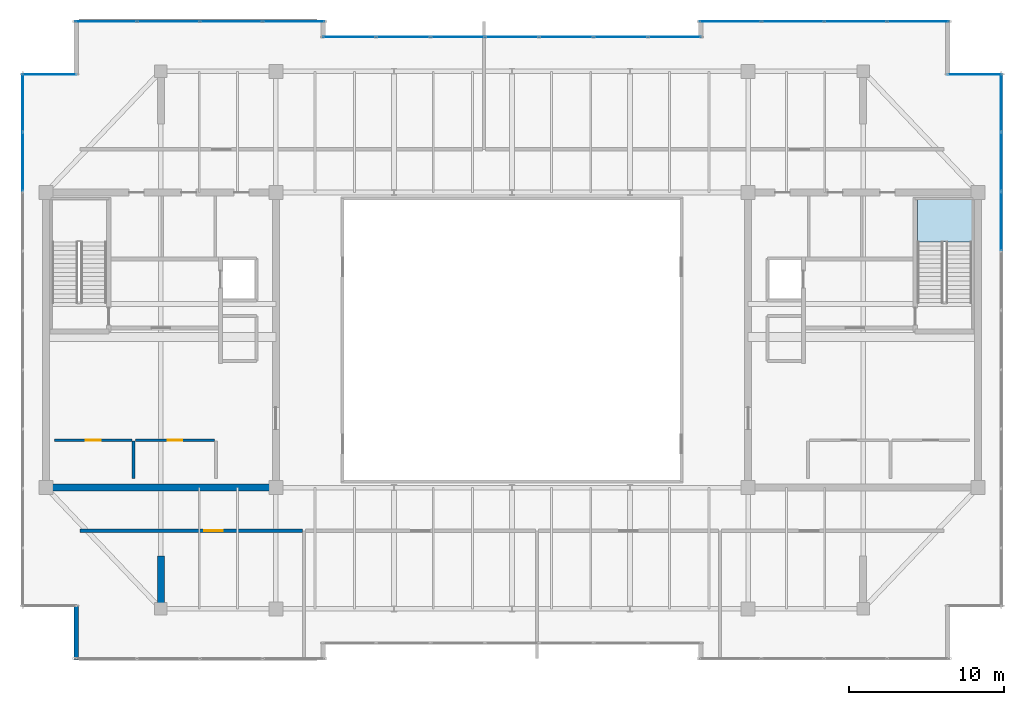
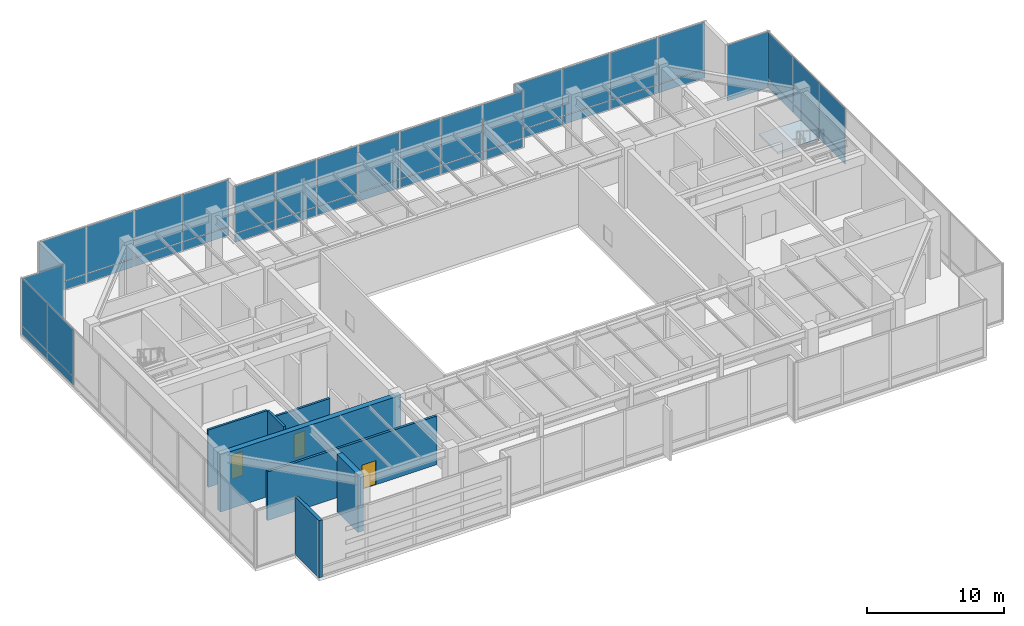
# One storey, part 24 of 30: 42 plates, 7 walls, 3 doors, 1 slab, 3 openings, 8 elements without a shape of their own.
"""IFC4 building model written with IfcOpenShell, lengths in metres."""

from ifc_helpers import new_model, si_unit, direction, frame, frame_2d, origin, origin_2d, place, context, subcontext, project, spatial, polyline, rectangle, outline, extrude, source, transform, mapped, material, layer, layer_set, type_object, type_shapes, element, fill, aggregate, save


model = new_model("IFC4")

# Units and contexts
model_context = context("Model", 3, precision=1e-05, world=origin(), true_north=direction((0.0, 1.0)))
body_context = subcontext(model_context, "Body", "Model", "MODEL_VIEW")
ifc_project = project(units=[si_unit("LENGTHUNIT", "METRE"), si_unit("AREAUNIT", "SQUARE_METRE"), si_unit("VOLUMEUNIT", "CUBIC_METRE"), si_unit("PLANEANGLEUNIT", "RADIAN"), si_unit("MASSUNIT", "GRAM", prefix="KILO")], contexts=[model_context])

# Site, building, storey
site_placement = place(None, origin())
site = spatial("IfcSite", under=ifc_project, at=site_placement, CompositionType="ELEMENT")
building_placement = place(site_placement, origin())
building = spatial("IfcBuilding", under=site, at=building_placement, Name="Haelvirn Gate Laboratories", CompositionType="ELEMENT")
storey_placement = place(building_placement, frame((0.0, 0.0, 332.39990234375)))
storey = spatial("IfcBuildingStorey", under=building, at=storey_placement, Name="L79", CompositionType="ELEMENT", Elevation=332.39990234375)

# Stair, slab
ifc_material_1 = material(Name="Concrete C40/50", Category="concrete")
stair_type = type_object("IfcStairType", Name="ST-DOG-1650-R30", PredefinedType="HALF_TURN_STAIR", material=ifc_material_1)
stair_placement = place(storey_placement, origin())
stair = element("IfcStair", 1, at=stair_placement, inside=storey, type_object=stair_type, Name="L79 Escape Stair ST2", PredefinedType="HALF_TURN_STAIR")
ifc_layer_1 = layer(ifc_material_1, 0.199951171875, Name="SL-STAIR-LND")
ifc_layer_set_1 = layer_set([ifc_layer_1], Name="Concrete C40/50")
slab_type = type_object("IfcSlabType", Name="SL-STAIR-LND", PredefinedType="LANDING", material=ifc_layer_set_1)
slab_placement = place(storey_placement, frame((0.0, 0.0, 2.5)))
slab = element("IfcSlab", 2, at=slab_placement, type_object=slab_type, Name="ST2 landing 1", PredefinedType="LANDING", context=body_context, shape_type="SweptSolid", body=[
    extrude(outline(polyline([(67.0, 30.6201171875), (67.0, 33.35009765625), (63.5, 33.35009765625), (63.5, 30.6201171875), (67.0, 30.6201171875)])), origin(), (0.0, 0.0, 1.0), 0.2001953125),
])
aggregate(stair, [slab])

# Curtain wall, plates
ifc_material_2 = material(Name="Anodised bronze unitised aluminium & triple low-E glass", Category="aluminium")
ifc_layer_2 = layer(ifc_material_2, 0.19189453125, Name="CW-SYS-6")
ifc_layer_set_2 = layer_set([ifc_layer_2], Name="Anodised bronze unitised aluminium & triple low-E glass")
curtain_wall_type_1 = type_object("IfcCurtainWallType", Name="CW-SYS-6", PredefinedType="NOTDEFINED", material=ifc_layer_set_2)
curtain_wall_1_placement = place(storey_placement, origin())
curtain_wall_1 = element("IfcCurtainWall", 3, at=curtain_wall_1_placement, inside=storey, type_object=curtain_wall_type_1, Name="L79 Unitised Curtain Wall CW-L79-P0-E10-1", PredefinedType="NOTDEFINED")
ifc_material_3 = material(Name="Ceramic-fritted bronze acoustic crown glazing 52 mm", Category="glass")
ifc_layer_3 = layer(ifc_material_3, 0.052001953125, Name="CWP-FRT-52")
ifc_layer_set_3 = layer_set([ifc_layer_3], Name="Ceramic-fritted bronze acoustic crown glazing 52 mm")
plate_type_1 = type_object("IfcPlateType", Name="CWP-FRT-52", PredefinedType="CURTAIN_PANEL", material=ifc_layer_set_3)
shared_shape_1 = source(origin(), body_context, "Body", "SweptSolid", [
    extrude(rectangle(XDim=3.929931640625, YDim=0.052001953125, at=origin_2d()), origin(), (0.0, 0.0, 1.0), 0.7451171875),
])
plate_1_placement = place(storey_placement, frame((51.445068359375, 44.800048828125, 0.070068359375), z_axis=(0.0, 0.0, 1.0), x_axis=(1.0, 0.0, 0.0)))
plate_1 = element("IfcPlate", 4, at=plate_1_placement, type_object=plate_type_1, Name="CW6 panel 1.1", PredefinedType="CURTAIN_PANEL", context=body_context, shape_type="MappedRepresentation", body=[
    mapped(shared_shape_1, transform((0.0, 0.0, 0.0), scale=1.0)),
])
plate_2_placement = place(storey_placement, frame((63.554931640625, 44.800048828125, 0.070068359375), z_axis=(0.0, 0.0, 1.0), x_axis=(1.0, 0.0, 0.0)))
plate_2 = element("IfcPlate", 5, at=plate_2_placement, type_object=plate_type_1, Name="CW6 panel 4.1", PredefinedType="CURTAIN_PANEL", context=body_context, shape_type="MappedRepresentation", body=[
    mapped(shared_shape_1, transform((0.0, 0.0, 0.0), scale=1.0)),
])

curtain_wall_2_placement = place(storey_placement, origin())
curtain_wall_2 = element("IfcCurtainWall", 6, at=curtain_wall_2_placement, inside=storey, type_object=curtain_wall_type_1, Name="L79 Unitised Curtain Wall CW-L79-P0-E14-1", PredefinedType="NOTDEFINED")
plate_3_placement = place(storey_placement, frame((11.2451171875, 44.800048828125, 0.070068359375), z_axis=(0.0, 0.0, 1.0), x_axis=(1.0, 0.0, 0.0)))
plate_3 = element("IfcPlate", 7, at=plate_3_placement, type_object=plate_type_1, Name="CW6 panel 1.1", PredefinedType="CURTAIN_PANEL", context=body_context, shape_type="MappedRepresentation", body=[
    mapped(shared_shape_1, transform((0.0, 0.0, 0.0), scale=1.0)),
])
plate_4_placement = place(storey_placement, frame((23.35498046875, 44.800048828125, 0.070068359375), z_axis=(0.0, 0.0, 1.0), x_axis=(1.0, 0.0, 0.0)))
plate_4 = element("IfcPlate", 8, at=plate_4_placement, type_object=plate_type_1, Name="CW6 panel 4.1", PredefinedType="CURTAIN_PANEL", context=body_context, shape_type="MappedRepresentation", body=[
    mapped(shared_shape_1, transform((0.0, 0.0, 0.0), scale=1.0)),
])

# Plate
shared_shape_2 = source(origin(), body_context, "Body", "SweptSolid", [
    extrude(rectangle(XDim=3.929931640625, YDim=0.052001953125, at=origin_2d()), origin(), (0.0, 0.0, 1.0), 4.1650390625),
])
plate_5_placement = place(storey_placement, frame((51.445068359375, 44.800048828125, 0.885009765625), z_axis=(0.0, 0.0, 1.0), x_axis=(1.0, 0.0, 0.0)))
plate_5 = element("IfcPlate", 9, at=plate_5_placement, type_object=plate_type_1, Name="CW6 panel 1.2", PredefinedType="CURTAIN_PANEL", context=body_context, shape_type="MappedRepresentation", body=[
    mapped(shared_shape_2, transform((0.0, 0.0, 0.0), scale=1.0)),
])

plate_6_placement = place(storey_placement, frame((63.554931640625, 44.800048828125, 0.885009765625), z_axis=(0.0, 0.0, 1.0), x_axis=(1.0, 0.0, 0.0)))
plate_6 = element("IfcPlate", 10, at=plate_6_placement, type_object=plate_type_1, Name="CW6 panel 4.2", PredefinedType="CURTAIN_PANEL", context=body_context, shape_type="MappedRepresentation", body=[
    mapped(shared_shape_2, transform((0.0, 0.0, 0.0), scale=1.0)),
])

plate_7_placement = place(storey_placement, frame((11.2451171875, 44.800048828125, 0.885009765625), z_axis=(0.0, 0.0, 1.0), x_axis=(1.0, 0.0, 0.0)))
plate_7 = element("IfcPlate", 11, at=plate_7_placement, type_object=plate_type_1, Name="CW6 panel 1.2", PredefinedType="CURTAIN_PANEL", context=body_context, shape_type="MappedRepresentation", body=[
    mapped(shared_shape_2, transform((0.0, 0.0, 0.0), scale=1.0)),
])

plate_8_placement = place(storey_placement, frame((23.35498046875, 44.800048828125, 0.885009765625), z_axis=(0.0, 0.0, 1.0), x_axis=(1.0, 0.0, 0.0)))
plate_8 = element("IfcPlate", 12, at=plate_8_placement, type_object=plate_type_1, Name="CW6 panel 4.2", PredefinedType="CURTAIN_PANEL", context=body_context, shape_type="MappedRepresentation", body=[
    mapped(shared_shape_2, transform((0.0, 0.0, 0.0), scale=1.0)),
])

shared_shape_3 = source(origin(), body_context, "Body", "SweptSolid", [
    extrude(rectangle(XDim=3.969970703125, YDim=0.052001953125, at=origin_2d()), origin(), (0.0, 0.0, 1.0), 0.7451171875),
])
plate_9_placement = place(storey_placement, frame((55.47509765625, 44.800048828125, 0.070068359375), z_axis=(0.0, 0.0, 1.0), x_axis=(1.0, 0.0, 0.0)))
plate_9 = element("IfcPlate", 13, at=plate_9_placement, type_object=plate_type_1, Name="CW6 panel 2.1", PredefinedType="CURTAIN_PANEL", context=body_context, shape_type="MappedRepresentation", body=[
    mapped(shared_shape_3, transform((0.0, 0.0, 0.0), scale=1.0)),
])

plate_10_placement = place(storey_placement, frame((59.52490234375, 44.800048828125, 0.070068359375), z_axis=(0.0, 0.0, 1.0), x_axis=(1.0, 0.0, 0.0)))
plate_10 = element("IfcPlate", 14, at=plate_10_placement, type_object=plate_type_1, Name="CW6 panel 3.1", PredefinedType="CURTAIN_PANEL", context=body_context, shape_type="MappedRepresentation", body=[
    mapped(shared_shape_3, transform((0.0, 0.0, 0.0), scale=1.0)),
])

plate_11_placement = place(storey_placement, frame((15.27490234375, 44.800048828125, 0.070068359375), z_axis=(0.0, 0.0, 1.0), x_axis=(1.0, 0.0, 0.0)))
plate_11 = element("IfcPlate", 15, at=plate_11_placement, type_object=plate_type_1, Name="CW6 panel 2.1", PredefinedType="CURTAIN_PANEL", context=body_context, shape_type="MappedRepresentation", body=[
    mapped(shared_shape_3, transform((0.0, 0.0, 0.0), scale=1.0)),
])

plate_12_placement = place(storey_placement, frame((19.324951171875, 44.800048828125, 0.070068359375), z_axis=(0.0, 0.0, 1.0), x_axis=(1.0, 0.0, 0.0)))
plate_12 = element("IfcPlate", 16, at=plate_12_placement, type_object=plate_type_1, Name="CW6 panel 3.1", PredefinedType="CURTAIN_PANEL", context=body_context, shape_type="MappedRepresentation", body=[
    mapped(shared_shape_3, transform((0.0, 0.0, 0.0), scale=1.0)),
])

shared_shape_4 = source(origin(), body_context, "Body", "SweptSolid", [
    extrude(rectangle(XDim=3.969970703125, YDim=0.052001953125, at=origin_2d()), origin(), (0.0, 0.0, 1.0), 4.1650390625),
])
plate_13_placement = place(storey_placement, frame((55.47509765625, 44.800048828125, 0.885009765625), z_axis=(0.0, 0.0, 1.0), x_axis=(1.0, 0.0, 0.0)))
plate_13 = element("IfcPlate", 17, at=plate_13_placement, type_object=plate_type_1, Name="CW6 panel 2.2", PredefinedType="CURTAIN_PANEL", context=body_context, shape_type="MappedRepresentation", body=[
    mapped(shared_shape_4, transform((0.0, 0.0, 0.0), scale=1.0)),
])

plate_14_placement = place(storey_placement, frame((59.52490234375, 44.800048828125, 0.885009765625), z_axis=(0.0, 0.0, 1.0), x_axis=(1.0, 0.0, 0.0)))
plate_14 = element("IfcPlate", 18, at=plate_14_placement, type_object=plate_type_1, Name="CW6 panel 3.2", PredefinedType="CURTAIN_PANEL", context=body_context, shape_type="MappedRepresentation", body=[
    mapped(shared_shape_4, transform((0.0, 0.0, 0.0), scale=1.0)),
])

aggregate(curtain_wall_1, [plate_1, plate_5, plate_9, plate_13, plate_10, plate_14, plate_2, plate_6])

plate_15_placement = place(storey_placement, frame((15.27490234375, 44.800048828125, 0.885009765625), z_axis=(0.0, 0.0, 1.0), x_axis=(1.0, 0.0, 0.0)))
plate_15 = element("IfcPlate", 19, at=plate_15_placement, type_object=plate_type_1, Name="CW6 panel 2.2", PredefinedType="CURTAIN_PANEL", context=body_context, shape_type="MappedRepresentation", body=[
    mapped(shared_shape_4, transform((0.0, 0.0, 0.0), scale=1.0)),
])

plate_16_placement = place(storey_placement, frame((19.324951171875, 44.800048828125, 0.885009765625), z_axis=(0.0, 0.0, 1.0), x_axis=(1.0, 0.0, 0.0)))
plate_16 = element("IfcPlate", 20, at=plate_16_placement, type_object=plate_type_1, Name="CW6 panel 3.2", PredefinedType="CURTAIN_PANEL", context=body_context, shape_type="MappedRepresentation", body=[
    mapped(shared_shape_4, transform((0.0, 0.0, 0.0), scale=1.0)),
])

aggregate(curtain_wall_2, [plate_3, plate_7, plate_11, plate_15, plate_12, plate_16, plate_4, plate_8])

# Curtain wall, plates
curtain_wall_3_placement = place(storey_placement, origin())
curtain_wall_3 = element("IfcCurtainWall", 21, at=curtain_wall_3_placement, inside=storey, type_object=curtain_wall_type_1, Name="L79 Unitised Curtain Wall CW-L79-P0-E12-1", PredefinedType="NOTDEFINED")
shared_shape_5 = source(origin(), body_context, "Body", "SweptSolid", [
    extrude(rectangle(XDim=3.377197265625, YDim=0.052001953125, at=origin_2d()), origin(), (0.0, 0.0, 1.0), 0.7451171875),
])
plate_17_placement = place(storey_placement, frame((26.928466796875, 43.800048828125, 0.070068359375), z_axis=(0.0, 0.0, 1.0), x_axis=(1.0, 0.0, 0.0)))
plate_17 = element("IfcPlate", 22, at=plate_17_placement, type_object=plate_type_1, Name="CW6 panel 1.1", PredefinedType="CURTAIN_PANEL", context=body_context, shape_type="MappedRepresentation", body=[
    mapped(shared_shape_5, transform((0.0, 0.0, 0.0), scale=1.0)),
])
plate_18_placement = place(storey_placement, frame((47.871337890625, 43.800048828125, 0.070068359375), z_axis=(0.0, 0.0, 1.0), x_axis=(1.0, 0.0, 0.0)))
plate_18 = element("IfcPlate", 23, at=plate_18_placement, type_object=plate_type_1, Name="CW6 panel 7.1", PredefinedType="CURTAIN_PANEL", context=body_context, shape_type="MappedRepresentation", body=[
    mapped(shared_shape_5, transform((0.0, 0.0, 0.0), scale=1.0)),
])
shared_shape_6 = source(origin(), body_context, "Body", "SweptSolid", [
    extrude(rectangle(XDim=3.377197265625, YDim=0.052001953125, at=origin_2d()), origin(), (0.0, 0.0, 1.0), 4.1650390625),
])
plate_19_placement = place(storey_placement, frame((26.928466796875, 43.800048828125, 0.885009765625), z_axis=(0.0, 0.0, 1.0), x_axis=(1.0, 0.0, 0.0)))
plate_19 = element("IfcPlate", 24, at=plate_19_placement, type_object=plate_type_1, Name="CW6 panel 1.2", PredefinedType="CURTAIN_PANEL", context=body_context, shape_type="MappedRepresentation", body=[
    mapped(shared_shape_6, transform((0.0, 0.0, 0.0), scale=1.0)),
])
plate_20_placement = place(storey_placement, frame((47.871337890625, 43.800048828125, 0.885009765625), z_axis=(0.0, 0.0, 1.0), x_axis=(1.0, 0.0, 0.0)))
plate_20 = element("IfcPlate", 25, at=plate_20_placement, type_object=plate_type_1, Name="CW6 panel 7.2", PredefinedType="CURTAIN_PANEL", context=body_context, shape_type="MappedRepresentation", body=[
    mapped(shared_shape_6, transform((0.0, 0.0, 0.0), scale=1.0)),
])
shared_shape_7 = source(origin(), body_context, "Body", "SweptSolid", [
    extrude(rectangle(XDim=3.417236328125, YDim=0.052001953125, at=origin_2d()), origin(), (0.0, 0.0, 1.0), 0.7451171875),
])
plate_21_placement = place(storey_placement, frame((30.40576171875, 43.800048828125, 0.070068359375), z_axis=(0.0, 0.0, 1.0), x_axis=(1.0, 0.0, 0.0)))
plate_21 = element("IfcPlate", 26, at=plate_21_placement, type_object=plate_type_1, Name="CW6 panel 2.1", PredefinedType="CURTAIN_PANEL", context=body_context, shape_type="MappedRepresentation", body=[
    mapped(shared_shape_7, transform((0.0, 0.0, 0.0), scale=1.0)),
])
plate_22_placement = place(storey_placement, frame((33.90283203125, 43.800048828125, 0.070068359375), z_axis=(0.0, 0.0, 1.0), x_axis=(1.0, 0.0, 0.0)))
plate_22 = element("IfcPlate", 27, at=plate_22_placement, type_object=plate_type_1, Name="CW6 panel 3.1", PredefinedType="CURTAIN_PANEL", context=body_context, shape_type="MappedRepresentation", body=[
    mapped(shared_shape_7, transform((0.0, 0.0, 0.0), scale=1.0)),
])
plate_23_placement = place(storey_placement, frame((37.39990234375, 43.800048828125, 0.070068359375), z_axis=(0.0, 0.0, 1.0), x_axis=(1.0, 0.0, 0.0)))
plate_23 = element("IfcPlate", 28, at=plate_23_placement, type_object=plate_type_1, Name="CW6 panel 4.1", PredefinedType="CURTAIN_PANEL", context=body_context, shape_type="MappedRepresentation", body=[
    mapped(shared_shape_7, transform((0.0, 0.0, 0.0), scale=1.0)),
])
plate_24_placement = place(storey_placement, frame((40.897216796875, 43.800048828125, 0.070068359375), z_axis=(0.0, 0.0, 1.0), x_axis=(1.0, 0.0, 0.0)))
plate_24 = element("IfcPlate", 29, at=plate_24_placement, type_object=plate_type_1, Name="CW6 panel 5.1", PredefinedType="CURTAIN_PANEL", context=body_context, shape_type="MappedRepresentation", body=[
    mapped(shared_shape_7, transform((0.0, 0.0, 0.0), scale=1.0)),
])
plate_25_placement = place(storey_placement, frame((44.394287109375, 43.800048828125, 0.070068359375), z_axis=(0.0, 0.0, 1.0), x_axis=(1.0, 0.0, 0.0)))
plate_25 = element("IfcPlate", 30, at=plate_25_placement, type_object=plate_type_1, Name="CW6 panel 6.1", PredefinedType="CURTAIN_PANEL", context=body_context, shape_type="MappedRepresentation", body=[
    mapped(shared_shape_7, transform((0.0, 0.0, 0.0), scale=1.0)),
])
shared_shape_8 = source(origin(), body_context, "Body", "SweptSolid", [
    extrude(rectangle(XDim=3.417236328125, YDim=0.052001953125, at=origin_2d()), origin(), (0.0, 0.0, 1.0), 4.1650390625),
])
plate_26_placement = place(storey_placement, frame((30.40576171875, 43.800048828125, 0.885009765625), z_axis=(0.0, 0.0, 1.0), x_axis=(1.0, 0.0, 0.0)))
plate_26 = element("IfcPlate", 31, at=plate_26_placement, type_object=plate_type_1, Name="CW6 panel 2.2", PredefinedType="CURTAIN_PANEL", context=body_context, shape_type="MappedRepresentation", body=[
    mapped(shared_shape_8, transform((0.0, 0.0, 0.0), scale=1.0)),
])
plate_27_placement = place(storey_placement, frame((33.90283203125, 43.800048828125, 0.885009765625), z_axis=(0.0, 0.0, 1.0), x_axis=(1.0, 0.0, 0.0)))
plate_27 = element("IfcPlate", 32, at=plate_27_placement, type_object=plate_type_1, Name="CW6 panel 3.2", PredefinedType="CURTAIN_PANEL", context=body_context, shape_type="MappedRepresentation", body=[
    mapped(shared_shape_8, transform((0.0, 0.0, 0.0), scale=1.0)),
])
plate_28_placement = place(storey_placement, frame((37.39990234375, 43.800048828125, 0.885009765625), z_axis=(0.0, 0.0, 1.0), x_axis=(1.0, 0.0, 0.0)))
plate_28 = element("IfcPlate", 33, at=plate_28_placement, type_object=plate_type_1, Name="CW6 panel 4.2", PredefinedType="CURTAIN_PANEL", context=body_context, shape_type="MappedRepresentation", body=[
    mapped(shared_shape_8, transform((0.0, 0.0, 0.0), scale=1.0)),
])
plate_29_placement = place(storey_placement, frame((40.897216796875, 43.800048828125, 0.885009765625), z_axis=(0.0, 0.0, 1.0), x_axis=(1.0, 0.0, 0.0)))
plate_29 = element("IfcPlate", 34, at=plate_29_placement, type_object=plate_type_1, Name="CW6 panel 5.2", PredefinedType="CURTAIN_PANEL", context=body_context, shape_type="MappedRepresentation", body=[
    mapped(shared_shape_8, transform((0.0, 0.0, 0.0), scale=1.0)),
])
plate_30_placement = place(storey_placement, frame((44.394287109375, 43.800048828125, 0.885009765625), z_axis=(0.0, 0.0, 1.0), x_axis=(1.0, 0.0, 0.0)))
plate_30 = element("IfcPlate", 35, at=plate_30_placement, type_object=plate_type_1, Name="CW6 panel 6.2", PredefinedType="CURTAIN_PANEL", context=body_context, shape_type="MappedRepresentation", body=[
    mapped(shared_shape_8, transform((0.0, 0.0, 0.0), scale=1.0)),
])
aggregate(curtain_wall_3, [plate_17, plate_19, plate_21, plate_26, plate_22, plate_27, plate_23, plate_28, plate_24, plate_29, plate_25, plate_30, plate_18, plate_20])

# Curtain wall, plate
ifc_layer_4 = layer(ifc_material_2, 0.181884765625, Name="CW-SYS-5")
ifc_layer_set_4 = layer_set([ifc_layer_4], Name="Anodised bronze unitised aluminium & triple low-E glass")
curtain_wall_type_2 = type_object("IfcCurtainWallType", Name="CW-SYS-5", PredefinedType="NOTDEFINED", material=ifc_layer_set_4)
curtain_wall_4_placement = place(storey_placement, origin())
curtain_wall_4 = element("IfcCurtainWall", 36, at=curtain_wall_4_placement, inside=storey, type_object=curtain_wall_type_2, Name="L79 Unitised Curtain Wall CW-L79-P0-E08-1", PredefinedType="NOTDEFINED")
ifc_material_4 = material(Name="Clear low-iron notched-corner triple IGU 42 mm", Category="glass")
ifc_layer_5 = layer(ifc_material_4, 0.0419921875, Name="CWP-NTC-42")
ifc_layer_set_5 = layer_set([ifc_layer_5], Name="Clear low-iron notched-corner triple IGU 42 mm")
plate_type_2 = type_object("IfcPlateType", Name="CWP-NTC-42", PredefinedType="CURTAIN_PANEL", material=ifc_layer_set_5)
shared_shape_9 = source(origin(), body_context, "Body", "SweptSolid", [
    extrude(rectangle(XDim=3.47998046875, YDim=0.0419921875, at=origin_2d()), origin(), (0.0, 0.0, 1.0), 4.989990234375),
])
type_shapes(plate_type_2, [shared_shape_9])
plate_31_placement = place(storey_placement, frame((67.179931640625, 41.39990234375, 0.06494140625), z_axis=(0.0, 0.0, 1.0), x_axis=(1.0, 0.0, 0.0)))
plate_31 = element("IfcPlate", 37, at=plate_31_placement, type_object=plate_type_2, Name="CW5 panel 1.1", PredefinedType="CURTAIN_PANEL", context=body_context, shape_type="MappedRepresentation", body=[
    mapped(shared_shape_9, transform((0.0, 0.0, 0.0), scale=1.0)),
])
aggregate(curtain_wall_4, [plate_31])

curtain_wall_5_placement = place(storey_placement, origin())
curtain_wall_5 = element("IfcCurtainWall", 38, at=curtain_wall_5_placement, inside=storey, type_object=curtain_wall_type_2, Name="L79 Unitised Curtain Wall CW-L79-P0-E16-1", PredefinedType="NOTDEFINED")
plate_32_placement = place(storey_placement, frame((7.6201171875, 41.39990234375, 0.06494140625), z_axis=(0.0, 0.0, 1.0), x_axis=(1.0, 0.0, 0.0)))
plate_32 = element("IfcPlate", 39, at=plate_32_placement, type_object=plate_type_2, Name="CW5 panel 1.1", PredefinedType="CURTAIN_PANEL", context=body_context, shape_type="MappedRepresentation", body=[
    mapped(shared_shape_9, transform((0.0, 0.0, 0.0), scale=1.0)),
])
aggregate(curtain_wall_5, [plate_32])

curtain_wall_6_placement = place(storey_placement, origin())
curtain_wall_6 = element("IfcCurtainWall", 40, at=curtain_wall_6_placement, inside=storey, type_object=curtain_wall_type_1, Name="L79 Unitised Curtain Wall CW-L79-P0-E07", PredefinedType="NOTDEFINED")
shared_shape_10 = source(origin(), body_context, "Body", "SweptSolid", [
    extrude(rectangle(XDim=3.7021484375, YDim=0.052001953125, at=origin_2d()), origin(), (0.0, 0.0, 1.0), 0.7451171875),
])
plate_33_placement = place(storey_placement, frame((68.89990234375, 39.56884765625, 0.070068359375), z_axis=(0.0, 0.0, 1.0), x_axis=(0.0, 1.0, 0.0)))
plate_33 = element("IfcPlate", 41, at=plate_33_placement, type_object=plate_type_1, Name="CW6 panel 9.1", PredefinedType="CURTAIN_PANEL", context=body_context, shape_type="MappedRepresentation", body=[
    mapped(shared_shape_10, transform((0.0, 0.0, 0.0), scale=1.0)),
])

curtain_wall_7_placement = place(storey_placement, origin())
curtain_wall_7 = element("IfcCurtainWall", 42, at=curtain_wall_7_placement, inside=storey, type_object=curtain_wall_type_1, Name="L79 Unitised Curtain Wall CW-L79-P0-E17", PredefinedType="NOTDEFINED")
plate_34_placement = place(storey_placement, frame((5.89990234375, 39.56884765625, 0.070068359375), z_axis=(0.0, 0.0, 1.0), x_axis=(0.0, -1.0, 0.0)))
plate_34 = element("IfcPlate", 43, at=plate_34_placement, type_object=plate_type_1, Name="CW6 panel 1.1", PredefinedType="CURTAIN_PANEL", context=body_context, shape_type="MappedRepresentation", body=[
    mapped(shared_shape_10, transform((0.0, 0.0, 0.0), scale=1.0)),
])

# Plate
shared_shape_11 = source(origin(), body_context, "Body", "SweptSolid", [
    extrude(rectangle(XDim=3.7021484375, YDim=0.052001953125, at=origin_2d()), origin(), (0.0, 0.0, 1.0), 4.1650390625),
])
plate_35_placement = place(storey_placement, frame((68.89990234375, 39.56884765625, 0.885009765625), z_axis=(0.0, 0.0, 1.0), x_axis=(0.0, 1.0, 0.0)))
plate_35 = element("IfcPlate", 44, at=plate_35_placement, type_object=plate_type_1, Name="CW6 panel 9.2", PredefinedType="CURTAIN_PANEL", context=body_context, shape_type="MappedRepresentation", body=[
    mapped(shared_shape_11, transform((0.0, 0.0, 0.0), scale=1.0)),
])

plate_36_placement = place(storey_placement, frame((5.89990234375, 39.56884765625, 0.885009765625), z_axis=(0.0, 0.0, 1.0), x_axis=(0.0, -1.0, 0.0)))
plate_36 = element("IfcPlate", 45, at=plate_36_placement, type_object=plate_type_1, Name="CW6 panel 1.2", PredefinedType="CURTAIN_PANEL", context=body_context, shape_type="MappedRepresentation", body=[
    mapped(shared_shape_11, transform((0.0, 0.0, 0.0), scale=1.0)),
])

shared_shape_12 = source(origin(), body_context, "Body", "SweptSolid", [
    extrude(rectangle(XDim=3.7421875, YDim=0.052001953125, at=origin_2d()), origin(), (0.0, 0.0, 1.0), 0.7451171875),
])
plate_37_placement = place(storey_placement, frame((68.89990234375, 31.9443359375, 0.070068359375), z_axis=(0.0, 0.0, 1.0), x_axis=(0.0, 1.0, 0.0)))
plate_37 = element("IfcPlate", 46, at=plate_37_placement, type_object=plate_type_1, Name="CW6 panel 7.1", PredefinedType="CURTAIN_PANEL", context=body_context, shape_type="MappedRepresentation", body=[
    mapped(shared_shape_12, transform((0.0, 0.0, 0.0), scale=1.0)),
])

plate_38_placement = place(storey_placement, frame((68.89990234375, 35.7666015625, 0.070068359375), z_axis=(0.0, 0.0, 1.0), x_axis=(0.0, 1.0, 0.0)))
plate_38 = element("IfcPlate", 47, at=plate_38_placement, type_object=plate_type_1, Name="CW6 panel 8.1", PredefinedType="CURTAIN_PANEL", context=body_context, shape_type="MappedRepresentation", body=[
    mapped(shared_shape_12, transform((0.0, 0.0, 0.0), scale=1.0)),
])

plate_39_placement = place(storey_placement, frame((5.89990234375, 35.7666015625, 0.070068359375), z_axis=(0.0, 0.0, 1.0), x_axis=(0.0, -1.0, 0.0)))
plate_39 = element("IfcPlate", 48, at=plate_39_placement, type_object=plate_type_1, Name="CW6 panel 2.1", PredefinedType="CURTAIN_PANEL", context=body_context, shape_type="MappedRepresentation", body=[
    mapped(shared_shape_12, transform((0.0, 0.0, 0.0), scale=1.0)),
])

shared_shape_13 = source(origin(), body_context, "Body", "SweptSolid", [
    extrude(rectangle(XDim=3.7421875, YDim=0.052001953125, at=origin_2d()), origin(), (0.0, 0.0, 1.0), 4.1650390625),
])
type_shapes(plate_type_1, [shared_shape_1, shared_shape_2, shared_shape_3, shared_shape_4, shared_shape_5, shared_shape_6, shared_shape_7, shared_shape_8, shared_shape_10, shared_shape_11, shared_shape_12, shared_shape_13])
plate_40_placement = place(storey_placement, frame((68.89990234375, 31.9443359375, 0.885009765625), z_axis=(0.0, 0.0, 1.0), x_axis=(0.0, 1.0, 0.0)))
plate_40 = element("IfcPlate", 49, at=plate_40_placement, type_object=plate_type_1, Name="CW6 panel 7.2", PredefinedType="CURTAIN_PANEL", context=body_context, shape_type="MappedRepresentation", body=[
    mapped(shared_shape_13, transform((0.0, 0.0, 0.0), scale=1.0)),
])

plate_41_placement = place(storey_placement, frame((68.89990234375, 35.7666015625, 0.885009765625), z_axis=(0.0, 0.0, 1.0), x_axis=(0.0, 1.0, 0.0)))
plate_41 = element("IfcPlate", 50, at=plate_41_placement, type_object=plate_type_1, Name="CW6 panel 8.2", PredefinedType="CURTAIN_PANEL", context=body_context, shape_type="MappedRepresentation", body=[
    mapped(shared_shape_13, transform((0.0, 0.0, 0.0), scale=1.0)),
])

aggregate(curtain_wall_6, [plate_37, plate_40, plate_38, plate_41, plate_33, plate_35])

plate_42_placement = place(storey_placement, frame((5.89990234375, 35.7666015625, 0.885009765625), z_axis=(0.0, 0.0, 1.0), x_axis=(0.0, -1.0, 0.0)))
plate_42 = element("IfcPlate", 51, at=plate_42_placement, type_object=plate_type_1, Name="CW6 panel 2.2", PredefinedType="CURTAIN_PANEL", context=body_context, shape_type="MappedRepresentation", body=[
    mapped(shared_shape_13, transform((0.0, 0.0, 0.0), scale=1.0)),
])

aggregate(curtain_wall_7, [plate_34, plate_36, plate_39, plate_42])

# Wall
ifc_material_5 = material(Name="Thermally-broken bronze aluminium rainscreen & mineral wool", Category="aluminium")
ifc_layer_6 = layer(ifc_material_5, 0.280029296875, Name="EW-TERR-280")
ifc_layer_set_6 = layer_set([ifc_layer_6], Name="Thermally-broken bronze aluminium rainscreen & mineral wool")
wall_type_1 = type_object("IfcWallType", Name="EW-TERR-280", PredefinedType="STANDARD", material=ifc_layer_set_6)
wall_1_placement = place(storey_placement, frame((9.340087890625, 7.18798828125, 0.0), z_axis=(0.0, 0.0, 1.0), x_axis=(0.0, -1.0, 0.0)))
element("IfcWall", 52, at=wall_1_placement, inside=storey, type_object=wall_type_1, Name="L79 Atrium Recess Bronze Return Wall 19", PredefinedType="STANDARD", context=body_context, shape_type="SweptSolid", body=[
    extrude(rectangle(XDim=3.488037109375, YDim=0.280029296875, at=frame_2d((1.744140625, 0.0))), origin(), (0.0, 0.0, 1.0), 5.1201171875),
])

# Wall, opening, door
ifc_layer_7 = layer(ifc_material_1, 0.179931640625, Name="IW-SHAFT-180")
ifc_layer_set_7 = layer_set([ifc_layer_7], Name="Concrete C40/50")
wall_type_2 = type_object("IfcWallType", Name="IW-SHAFT-180", PredefinedType="SOLIDWALL", material=ifc_layer_set_7)
wall_2_placement = place(storey_placement, frame((7.949951171875, 17.85009765625, 0.0), z_axis=(0.0, 0.0, 1.0), x_axis=(1.0, 0.0, 0.0)))
wall_2 = element("IfcWall", 53, at=wall_2_placement, inside=storey, type_object=wall_type_2, Name="L79 Interior Wall IW-L79-W-FREED-HN-1", PredefinedType="SOLIDWALL", context=body_context, shape_type="SweptSolid", body=[
    extrude(rectangle(XDim=5.0, YDim=0.179931640625, at=frame_2d((2.5, 0.0))), origin(), (0.0, 0.0, 1.0), 5.1201171875),
])
opening_1_placement = place(wall_2_placement, frame((2.02490234375, 0.0, 0.0)))
opening_1 = element("IfcOpeningElement", 54, at=opening_1_placement, cuts=wall_2, Name="Opening FD4", PredefinedType="OPENING", context=body_context, shape_type="SweptSolid", body=[
    extrude(rectangle(XDim=0.949951171875, YDim=2.14990234375, at=frame_2d((0.47509765625, 1.074951171875))), frame((0.0, 0.10009765625, 0.0), z_axis=(0.0, -1.0, 0.0), x_axis=(1.0, 0.0, 0.0)), (0.0, 0.0, 1.0), 0.199951171875),
])
ifc_material_6 = material(Name="Fire-rated steel SM355 core service door", Category="steel")
door_type_1 = type_object("IfcDoorType", Name="DR-FD-950", OperationType="NOTDEFINED", PredefinedType="DOOR", material=ifc_material_6)
shared_shape_14 = source(origin(), body_context, "Body", "SweptSolid", [
    extrude(rectangle(XDim=0.949951171875, YDim=2.14990234375, at=frame_2d((0.47509765625, 1.074951171875))), frame((0.0, 0.02490234375, 0.0), z_axis=(0.0, -1.0, 0.0), x_axis=(1.0, 0.0, 0.0)), (0.0, 0.0, 1.0), 0.050048828125),
])
type_shapes(door_type_1, [shared_shape_14])
door_1_placement = place(opening_1_placement, origin())
door_1 = element("IfcDoor", 55, at=door_1_placement, inside=storey, type_object=door_type_1, Name="L79 Cryogenic Specimen Biobank Door", OperationType="SINGLE_SWING_LEFT", OverallHeight=2.14990234375, OverallWidth=0.949951171875, PredefinedType="DOOR", context=body_context, shape_type="MappedRepresentation", body=[
    mapped(shared_shape_14, transform((0.0, 0.0, 0.0), scale=1.0)),
])
fill(opening_1, door_1)

# Wall
wall_3_placement = place(storey_placement, frame((13.0400390625, 15.39990234375, 0.0), z_axis=(0.0, 0.0, 1.0), x_axis=(0.0, 1.0, 0.0)))
element("IfcWall", 56, at=wall_3_placement, inside=storey, type_object=wall_type_2, Name="L79 Interior Wall IW-L79-W-FREED-HE-1", PredefinedType="SOLIDWALL", context=body_context, shape_type="SweptSolid", body=[
    extrude(rectangle(XDim=2.400146484375, YDim=0.179931640625, at=frame_2d((1.2001953125, 0.0))), origin(), (0.0, 0.0, 1.0), 5.1201171875),
])

# Wall, opening, door
wall_4_placement = place(storey_placement, frame((13.14990234375, 17.85009765625, 0.0), z_axis=(0.0, 0.0, 1.0), x_axis=(1.0, 0.0, 0.0)))
wall_4 = element("IfcWall", 57, at=wall_4_placement, inside=storey, type_object=wall_type_2, Name="L79 Interior Wall IW-L79-W-FREED-HN-2", PredefinedType="SOLIDWALL", context=body_context, shape_type="SweptSolid", body=[
    extrude(rectangle(XDim=5.10009765625, YDim=0.179931640625, at=frame_2d((2.550048828125, 0.0))), origin(), (0.0, 0.0, 1.0), 4.35498046875),
])
opening_2_placement = place(wall_4_placement, frame((2.074951171875, 0.0, 0.0)))
opening_2 = element("IfcOpeningElement", 58, at=opening_2_placement, cuts=wall_4, Name="Opening FD4", PredefinedType="OPENING", context=body_context, shape_type="SweptSolid", body=[
    extrude(rectangle(XDim=0.949951171875, YDim=2.14990234375, at=frame_2d((0.47509765625, 1.074951171875))), frame((0.0, 0.10009765625, 0.0), z_axis=(0.0, -1.0, 0.0), x_axis=(1.0, 0.0, 0.0)), (0.0, 0.0, 1.0), 0.199951171875),
])
door_2_placement = place(opening_2_placement, origin())
door_2 = element("IfcDoor", 59, at=door_2_placement, inside=storey, type_object=door_type_1, Name="L79 Cryo-Assay Preparation Laboratory Door", OperationType="SINGLE_SWING_RIGHT", OverallHeight=2.14990234375, OverallWidth=0.949951171875, PredefinedType="DOOR", context=body_context, shape_type="MappedRepresentation", body=[
    mapped(shared_shape_14, transform((0.0, 0.0, 0.0), scale=1.0)),
])
fill(opening_2, door_2)

ifc_layer_8 = layer(ifc_material_1, 0.199951171875, Name="IW-SHAFT-200")
ifc_layer_set_8 = layer_set([ifc_layer_8], Name="Concrete C40/50")
wall_type_3 = type_object("IfcWallType", Name="IW-SHAFT-200", PredefinedType="SOLIDWALL", material=ifc_layer_set_8)
wall_5_placement = place(storey_placement, frame((9.60009765625, 12.02001953125, 0.0), z_axis=(0.0, 0.0, 1.0), x_axis=(1.0, 0.0, 0.0)))
wall_5 = element("IfcWall", 60, at=wall_5_placement, inside=storey, type_object=wall_type_3, Name="L79 Interior Wall IW-L79-PSW-1", PredefinedType="SOLIDWALL", context=body_context, shape_type="SweptSolid", body=[
    extrude(rectangle(XDim=14.2998046875, YDim=0.199951171875, at=frame_2d((7.14990234375, 0.0))), origin(), (0.0, 0.0, 1.0), 4.35498046875),
])
opening_3_placement = place(wall_5_placement, frame((7.980712890625, 0.0, 0.0)))
opening_3 = element("IfcOpeningElement", 61, at=opening_3_placement, cuts=wall_5, Name="Opening FD2", PredefinedType="OPENING", context=body_context, shape_type="SweptSolid", body=[
    extrude(rectangle(XDim=1.199951171875, YDim=2.159912109375, at=frame_2d((0.60009765625, 1.080078125))), frame((0.0, 0.10986328125, 0.0), z_axis=(0.0, -1.0, 0.0), x_axis=(1.0, 0.0, 0.0)), (0.0, 0.0, 1.0), 0.219970703125),
])
ifc_material_7 = material(Name="Fire-rated steel SM355 compartment door", Category="steel")
door_type_2 = type_object("IfcDoorType", Name="DR-FD-1200", OperationType="NOTDEFINED", PredefinedType="DOOR", material=ifc_material_7)
shared_shape_15 = source(origin(), body_context, "Body", "SweptSolid", [
    extrude(rectangle(XDim=1.199951171875, YDim=2.159912109375, at=frame_2d((0.60009765625, 1.080078125))), frame((0.0, 0.02490234375, 0.0), z_axis=(0.0, -1.0, 0.0), x_axis=(1.0, 0.0, 0.0)), (0.0, 0.0, 1.0), 0.050048828125),
])
type_shapes(door_type_2, [shared_shape_15])
door_3_placement = place(opening_3_placement, origin())
door_3 = element("IfcDoor", 62, at=door_3_placement, inside=storey, type_object=door_type_2, Name="L79 Upper Crown West Dilution Fan Plant Fire Door", OperationType="SINGLE_SWING_LEFT", OverallHeight=2.159912109375, OverallWidth=1.199951171875, PredefinedType="DOOR", context=body_context, shape_type="MappedRepresentation", body=[
    mapped(shared_shape_15, transform((0.0, 0.0, 0.0), scale=1.0)),
])
fill(opening_3, door_3)

# Walls
ifc_material_8 = material(Name="Concrete C50/60", Category="concrete")
ifc_layer_9 = layer(ifc_material_8, 0.449951171875, Name="SW-CORE-450")
ifc_layer_set_9 = layer_set([ifc_layer_9], Name="Concrete C50/60")
wall_type_4 = type_object("IfcWallType", Name="SW-CORE-450", PredefinedType="SHEAR", material=ifc_layer_set_9)
wall_6_placement = place(storey_placement, frame((7.175048828125, 14.800048828125, 0.0), z_axis=(0.0, 0.0, 1.0), x_axis=(1.0, 0.0, 0.0)))
element("IfcWall", 63, at=wall_6_placement, inside=storey, type_object=wall_type_4, Name="L79 W Core Shear Wall S", PredefinedType="SHEAR", context=body_context, shape_type="SweptSolid", body=[
    extrude(rectangle(XDim=15.25, YDim=0.449951171875, at=frame_2d((7.625, 0.0))), origin(), (0.0, 0.0, 1.0), 5.1201171875),
])
wall_7_placement = place(storey_placement, frame((14.800048828125, 7.300048828125, 0.0), z_axis=(0.0, 0.0, 1.0), x_axis=(0.0, 1.0, 0.0)))
element("IfcWall", 64, at=wall_7_placement, inside=storey, type_object=wall_type_4, Name="L79 Transverse Slab Shear Wall W-S", PredefinedType="SHEAR", context=body_context, shape_type="SweptSolid", body=[
    extrude(rectangle(XDim=3.099853515625, YDim=0.449951171875, at=frame_2d((1.5498046875, 0.0))), origin(), (0.0, 0.0, 1.0), 5.1201171875),
])

save(model, "model.ifc")
